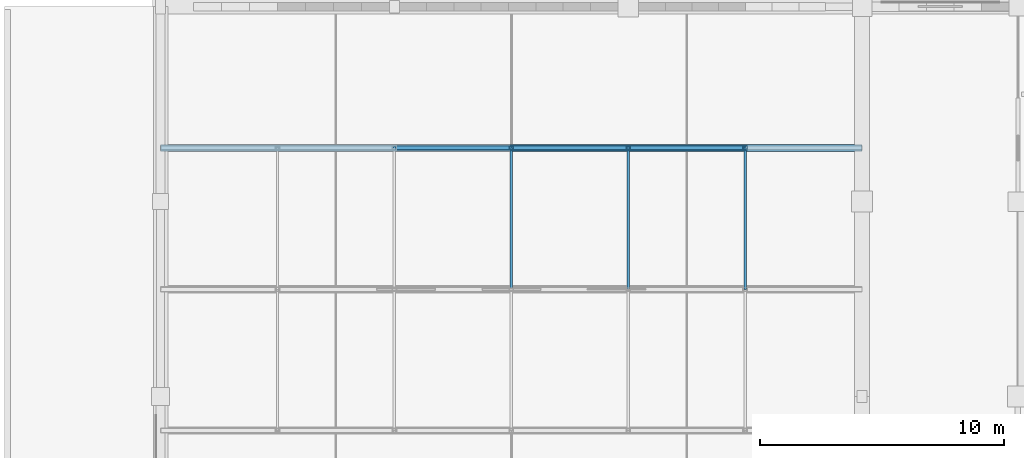
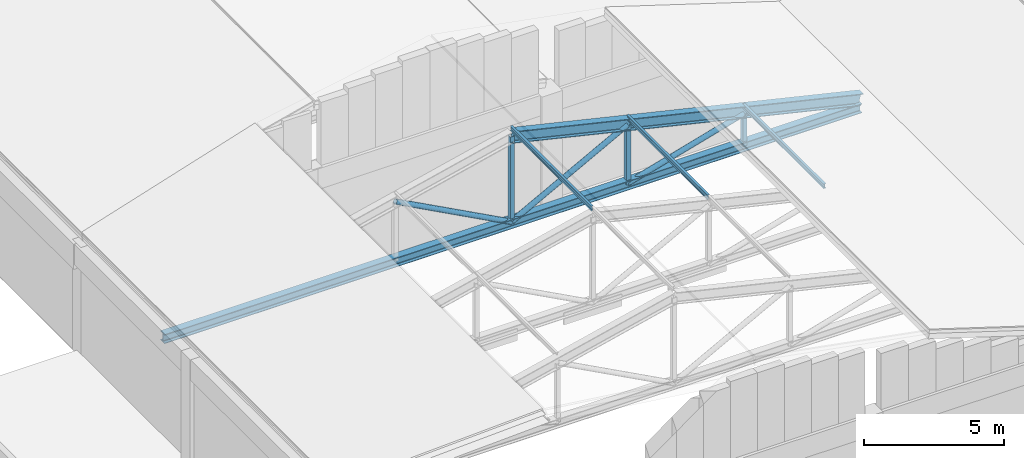
# One storey, part 18 of 61: 11 members.
"""IFC4 building model written with IfcOpenShell, lengths in metres."""

from ifc_helpers import new_model, si_unit, direction, frame, origin, origin_2d, place, context, subcontext, project, spatial, hollow_rectangle, hollow_circle, i_section, extrude, material, material_profile, profile_set, type_object, element, save


model = new_model("IFC4")

# Units and contexts
model_context = context("Model", 3, precision=1e-05, world=origin(), true_north=direction((0.0, 1.0)))
body_context = subcontext(model_context, "Body", "Model", "MODEL_VIEW")
ifc_project = project(units=[si_unit("LENGTHUNIT", "METRE"), si_unit("AREAUNIT", "SQUARE_METRE"), si_unit("VOLUMEUNIT", "CUBIC_METRE"), si_unit("PLANEANGLEUNIT", "RADIAN"), si_unit("MASSUNIT", "GRAM", prefix="KILO")], contexts=[model_context])

# Site, building, storey
site_placement = place(None, origin())
site = spatial("IfcSite", under=ifc_project, at=site_placement, CompositionType="ELEMENT")
building_placement = place(site_placement, origin())
building = spatial("IfcBuilding", under=site, at=building_placement, Name="Vellmiral Cinema and Media Centre", CompositionType="ELEMENT")
storey_placement = place(building_placement, frame((0.0, 0.0, 10.800048828125)))
storey = spatial("IfcBuildingStorey", under=building, at=storey_placement, Name="L02", CompositionType="ELEMENT", Elevation=10.800048828125)

# Members
ifc_material_1 = material(Name="Steel S355", Category="steel")
ifc_material_profile_1 = material_profile(ifc_material_1, i_section(OverallWidth=0.10009765625, OverallDepth=0.199951171875, WebThickness=0.005615234375, FlangeThickness=0.008544921875, FilletRadius=0.011962890625, at=origin_2d()), Name="IPE 200")
ifc_profile_set_1 = profile_set([ifc_material_profile_1], Name="Steel S355")
member_type_1 = type_object("IfcMemberType", Name="PRL-IPE200", PredefinedType="PURLIN", material=ifc_profile_set_1)
for number, where, z_axis, x_axis, name in (
    (1, (20.800048828125, 83.60009765625, 8.25537109375), (0.0, 1.0, 0.0), (-1.0, 0.0, 0.0), "Roof Purlin 3.3.2"),
    (2, (25.60009765625, 83.60009765625, 7.058349609375), (0.0, 1.0, 0.0), (-1.0, 0.0, 0.0), "Roof Purlin 3.4.2"),
    (3, (30.39990234375, 83.60009765625, 5.86181640625), (0.0, 1.0, 0.0), (-1.0, 0.0, 0.0), "Roof Purlin 3.5.2"),
):
    element("IfcMember", number, at=place(storey_placement, frame(where, z_axis=z_axis, x_axis=x_axis)), inside=storey, type_object=member_type_1, Name=name, PredefinedType="PURLIN", context=body_context, shape_type="SweptSolid", body=[
        extrude(i_section(OverallWidth=0.10009765625, OverallDepth=0.199951171875, WebThickness=0.005615234375, FlangeThickness=0.008544921875, FilletRadius=0.011962890625, at=origin_2d()), origin(), (0.0, 0.0, 1.0), 5.7998046875),
    ])
ifc_material_2 = material(Name="Steel S355", Category="steel")
ifc_material_profile_2 = material_profile(ifc_material_2, hollow_circle(Radius=0.109619140625, WallThickness=0.010009765625, at=origin_2d()), Name="CHS 219.1x10.0")
ifc_profile_set_2 = profile_set([ifc_material_profile_2], Name="Steel S355")
member_type_2 = type_object("IfcMemberType", Name="TBR-CHS219", PredefinedType="BRACE", material=ifc_profile_set_2)
for number, where, z_axis, x_axis, name in (
    (4, (16.0, 89.39990234375, 6.718505859375), (0.88169787888, 0.0, -0.471814423666), (0.0, 1.0, 0.0), "Roof Truss TR-03.3 Diagonal 3"),
    (5, (20.800048828125, 89.39990234375, 4.14990234375), (0.88169787888, 0.0, 0.471814423666), (0.0, 1.0, 0.0), "Roof Truss TR-03.3 Diagonal 4"),
):
    element("IfcMember", number, at=place(storey_placement, frame(where, z_axis=z_axis, x_axis=x_axis)), inside=storey, type_object=member_type_2, Name=name, PredefinedType="BRACE", context=body_context, shape_type="SweptSolid", body=[
        extrude(hollow_circle(Radius=0.109619140625, WallThickness=0.010009765625, at=origin_2d()), origin(), (0.0, 0.0, 1.0), 5.444091796875),
    ])
member_1_placement = place(storey_placement, frame((25.60009765625, 89.39990234375, 4.14990234375), z_axis=(0.961499952152, 0.0, 0.274805098227), x_axis=(0.0, 1.0, 0.0)))
element("IfcMember", 6, at=member_1_placement, inside=storey, type_object=member_type_2, Name="Roof Truss TR-03.3 Diagonal 5", PredefinedType="BRACE", context=body_context, shape_type="SweptSolid", body=[
    extrude(hollow_circle(Radius=0.109619140625, WallThickness=0.010009765625, at=origin_2d()), origin(), (0.0, 0.0, 1.0), 4.991943359375),
])
ifc_material_3 = material(Name="Steel S355", Category="steel")
ifc_material_profile_3 = material_profile(ifc_material_3, hollow_rectangle(XDim=0.179931640625, YDim=0.179931640625, WallThickness=0.010009765625, at=origin_2d()), Name="SHS 180x180x10.0")
ifc_profile_set_3 = profile_set([ifc_material_profile_3], Name="Steel S355")
member_type_3 = type_object("IfcMemberType", Name="TBR-SHS180", PredefinedType="BRACE", material=ifc_profile_set_3)
member_2_placement = place(storey_placement, frame((20.800048828125, 89.39990234375, 4.14990234375), z_axis=(0.0, 0.0, 1.0), x_axis=(1.0, 0.0, 0.0)))
element("IfcMember", 7, at=member_2_placement, inside=storey, type_object=member_type_3, Name="Roof Truss TR-03.3 Post 3", PredefinedType="BRACE", context=body_context, shape_type="SweptSolid", body=[
    extrude(hollow_rectangle(XDim=0.179931640625, YDim=0.179931640625, WallThickness=0.010009765625, at=origin_2d()), origin(), (0.0, 0.0, 1.0), 3.765380859375),
])
member_3_placement = place(storey_placement, frame((25.60009765625, 89.39990234375, 4.14990234375), z_axis=(0.0, 0.0, 1.0), x_axis=(1.0, 0.0, 0.0)))
element("IfcMember", 8, at=member_3_placement, inside=storey, type_object=member_type_3, Name="Roof Truss TR-03.3 Post 4", PredefinedType="BRACE", context=body_context, shape_type="SweptSolid", body=[
    extrude(hollow_rectangle(XDim=0.179931640625, YDim=0.179931640625, WallThickness=0.010009765625, at=origin_2d()), origin(), (0.0, 0.0, 1.0), 2.568603515625),
])
member_4_placement = place(storey_placement, frame((30.39990234375, 89.39990234375, 4.14990234375), z_axis=(0.0, 0.0, 1.0), x_axis=(1.0, 0.0, 0.0)))
element("IfcMember", 9, at=member_4_placement, inside=storey, type_object=member_type_3, Name="Roof Truss TR-03.3 Post 5", PredefinedType="BRACE", context=body_context, shape_type="SweptSolid", body=[
    extrude(hollow_rectangle(XDim=0.179931640625, YDim=0.179931640625, WallThickness=0.010009765625, at=origin_2d()), origin(), (0.0, 0.0, 1.0), 1.371826171875),
])
ifc_material_4 = material(Name="Steel S355", Category="steel")
ifc_material_profile_4 = material_profile(ifc_material_4, i_section(OverallWidth=0.300048828125, OverallDepth=0.39990234375, WebThickness=0.013427734375, FlangeThickness=0.02392578125, FilletRadius=0.027099609375, at=origin_2d()), Name="HEB 400")
ifc_profile_set_4 = profile_set([ifc_material_profile_4], Name="Steel S355")
member_type_4 = type_object("IfcMemberType", Name="TCH-HEB400", PredefinedType="CHORD", material=ifc_profile_set_4)
member_5_placement = place(storey_placement, frame((6.39990234375, 89.39990234375, 4.14990234375), z_axis=(1.0, 0.0, 0.0), x_axis=(0.0, 1.0, 0.0)))
element("IfcMember", 10, at=member_5_placement, inside=storey, type_object=member_type_4, Name="Roof Truss TR-03.3 Bottom Chord", PredefinedType="CHORD", context=body_context, shape_type="SweptSolid", body=[
    extrude(i_section(OverallWidth=0.300048828125, OverallDepth=0.39990234375, WebThickness=0.013427734375, FlangeThickness=0.02392578125, FilletRadius=0.027099609375, at=origin_2d()), origin(), (0.0, 0.0, 1.0), 28.800048828125),
])
ifc_material_5 = material(Name="Steel S355", Category="steel")
ifc_material_profile_5 = material_profile(ifc_material_5, i_section(OverallWidth=0.300048828125, OverallDepth=0.5, WebThickness=0.014404296875, FlangeThickness=0.028076171875, FilletRadius=0.027099609375, at=origin_2d()), Name="HEB 500")
ifc_profile_set_5 = profile_set([ifc_material_profile_5], Name="Steel S355")
member_type_5 = type_object("IfcMemberType", Name="TCH-HEB500", PredefinedType="CHORD", material=ifc_profile_set_5)
member_6_placement = place(storey_placement, frame((20.800048828125, 89.39990234375, 7.915283203125), z_axis=(0.973310802624, 0.0, -0.229490918112), x_axis=(0.0, 1.0, 0.0)))
element("IfcMember", 11, at=member_6_placement, inside=storey, type_object=member_type_5, Name="Roof Truss TR-03.3 Top Chord E", PredefinedType="CHORD", context=body_context, shape_type="SweptSolid", body=[
    extrude(i_section(OverallWidth=0.300048828125, OverallDepth=0.5, WebThickness=0.014404296875, FlangeThickness=0.028076171875, FilletRadius=0.027099609375, at=origin_2d()), origin(), (0.0, 0.0, 1.0), 14.794677734375),
])

save(model, "model.ifc")
